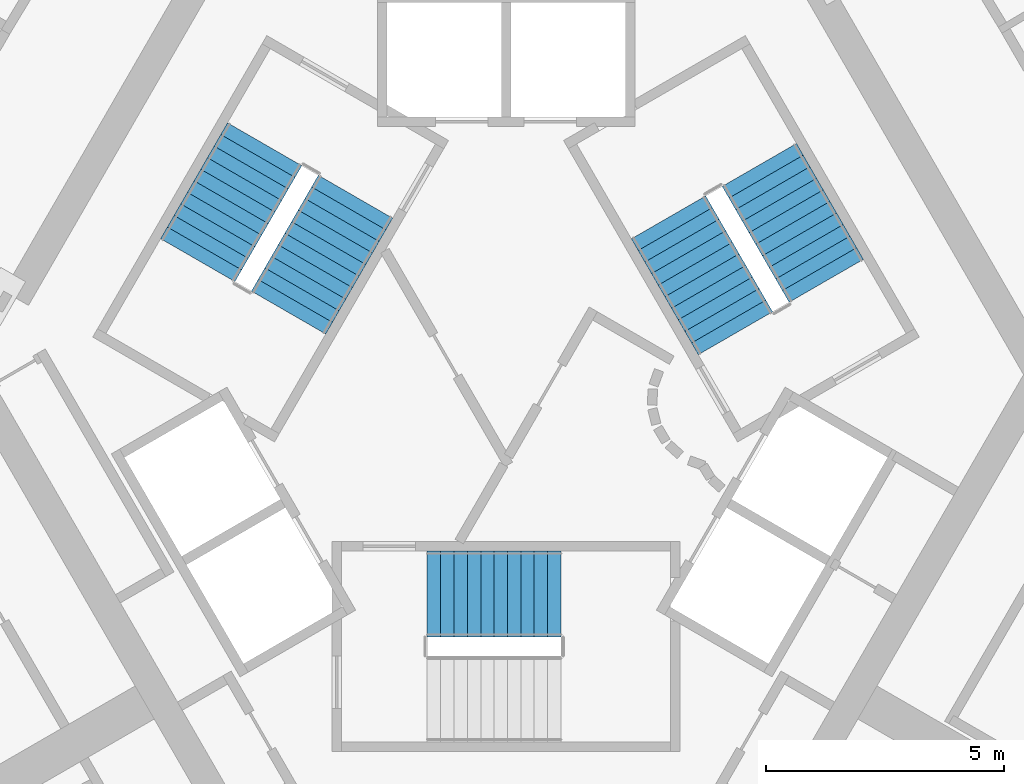
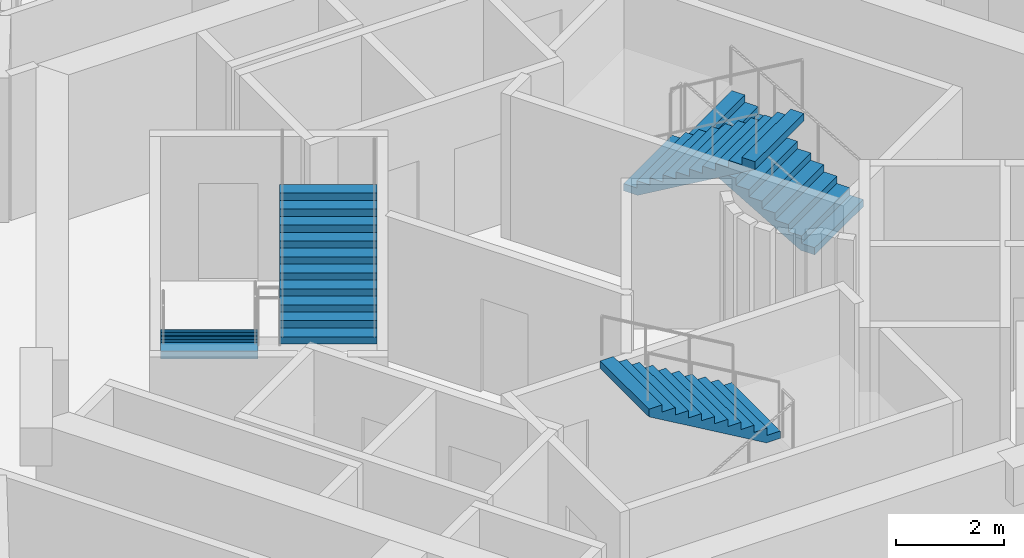
# One storey, part 11 of 14: 5 stair flights, 3 elements without a shape of their own.
"""IFC4 building model written with IfcOpenShell, lengths in metres."""

import ifcopenshell
import ifcopenshell.guid

model = None  # the IFC model being written
_history = None  # IfcOwnerHistory: only IFC2X3 demands one
_inside = {}  # id of a spatial element -> (the spatial element, [elements in it])
_under = {}  # id of a project, library or spatial element -> (it, [spatial elements below it])
_declared = {}  # id of a project -> (the project, [libraries it declares])
_typed = {}  # id of a type object -> (the type object, [elements of that type])
_made_of = {}  # id of a material, layer set ... -> (it, [elements and type objects made of it])


def new_model(schema):
    """Start an empty IFC model of exactly this schema.

    Asked for "IFC4X3", IfcOpenShell would pick the latest addendum, in which some entities
    have other attributes; the version numbers below select the first issue.
    IFC2X3 requires an IfcOwnerHistory on every rooted entity: one is made here for all.
    """
    global model, _history
    if schema == "IFC4X3":
        model = ifcopenshell.file(schema_version=(4, 3, 0, 0))
    else:
        model = ifcopenshell.file(schema=schema)
    _inside.clear()
    _under.clear()
    _declared.clear()
    _typed.clear()
    _made_of.clear()
    _history = None
    if model.schema == "IFC2X3":
        org = make("IfcOrganization", Name="unknown")
        user = make(
            "IfcPersonAndOrganization",
            ThePerson=make("IfcPerson", FamilyName="unknown"),
            TheOrganization=org,
        )
        app = make(
            "IfcApplication",
            ApplicationDeveloper=org,
            Version="unknown",
            ApplicationFullName="unknown",
            ApplicationIdentifier="unknown",
        )
        _history = make(
            "IfcOwnerHistory",
            OwningUser=user,
            OwningApplication=app,
            ChangeAction="ADDED",
            CreationDate=0,
        )
    return model


def make(cls, **values):
    """One entity of the class cls with the attributes given. An attribute that is None is left unset."""
    return model.create_entity(
        cls, **{name: value for name, value in values.items() if value is not None}
    )


def rooted(cls, **values):
    """An entity with a GlobalId (a new one), such as an element, a storey or a relation."""
    return make(cls, GlobalId=ifcopenshell.guid.new(), OwnerHistory=_history, **values)


def si_unit(unit_type, name, prefix=None):
    """IfcSIUnit, for example si_unit("LENGTHUNIT", "METRE", prefix="MILLI")."""
    return make("IfcSIUnit", UnitType=unit_type, Prefix=prefix, Name=name)


def assignment(units):
    """IfcUnitAssignment: the units of a project."""
    return None if units is None else make("IfcUnitAssignment", Units=units)


def point(xyz):
    """IfcCartesianPoint."""
    return None if xyz is None else make("IfcCartesianPoint", Coordinates=xyz)


def direction(xyz):
    """IfcDirection."""
    return None if xyz is None else make("IfcDirection", DirectionRatios=xyz)


def frame(location, z_axis=None, x_axis=None):
    """IfcAxis2Placement3D, a coordinate frame: its origin and axes. An axis left out is left unset."""
    return make(
        "IfcAxis2Placement3D",
        Location=point(location),
        Axis=direction(z_axis),
        RefDirection=direction(x_axis),
    )


def origin():
    """The frame at (0, 0, 0) with its axes left unset."""
    return frame((0.0, 0.0, 0.0))


def place(relative_to, where):
    """IfcLocalPlacement: puts the frame where relative to a parent placement (None: the world)."""
    return make(
        "IfcLocalPlacement", PlacementRelTo=relative_to, RelativePlacement=where
    )


def context(
    kind, dimensions, precision=None, world=None, true_north=None, identifier=None
):
    """IfcGeometricRepresentationContext, for example the 3D "Model" context."""
    return make(
        "IfcGeometricRepresentationContext",
        ContextIdentifier=identifier,
        ContextType=kind,
        CoordinateSpaceDimension=dimensions,
        Precision=precision,
        WorldCoordinateSystem=world,
        TrueNorth=true_north,
    )


def subcontext(parent, identifier, kind, view, scale=None):
    """IfcGeometricRepresentationSubContext, for example "Body" below "Model"."""
    return make(
        "IfcGeometricRepresentationSubContext",
        ContextIdentifier=identifier,
        ContextType=kind,
        ParentContext=parent,
        TargetScale=scale,
        TargetView=view,
    )


def project(units=None, contexts=None):
    """IfcProject with its units and contexts."""
    return rooted(
        "IfcProject",
        Name="project",
        RepresentationContexts=contexts,
        UnitsInContext=assignment(units),
    )


def spatial(cls, under=None, at=None, **own):
    """A site, building, storey or space (cls), placed at a placement, below another one or the project."""
    s = rooted(cls, ObjectPlacement=at, **own)
    if under is not None:
        _under.setdefault(under.id(), (under, []))[1].append(s)
    return s


def polyline(points):
    """IfcPolyline through the points."""
    return make("IfcPolyline", Points=[point(p) for p in points])


def outline(outer, holes=None, kind="AREA"):
    """IfcArbitraryClosedProfileDef: a profile drawn as a closed curve; with holes, ...WithVoids."""
    if holes is None:
        return make("IfcArbitraryClosedProfileDef", ProfileType=kind, OuterCurve=outer)
    return make(
        "IfcArbitraryProfileDefWithVoids",
        ProfileType=kind,
        OuterCurve=outer,
        InnerCurves=holes,
    )


def extrude(swept, where, along, depth):
    """IfcExtrudedAreaSolid: the profile swept, set in the frame where, extruded along a direction by depth."""
    return make(
        "IfcExtrudedAreaSolid",
        SweptArea=swept,
        Position=where,
        ExtrudedDirection=direction(along),
        Depth=depth,
    )


def shape(context_of_items, identifier, shape_type, items):
    """IfcShapeRepresentation: the items that make up one representation, for example the "Body"."""
    return make(
        "IfcShapeRepresentation",
        ContextOfItems=context_of_items,
        RepresentationIdentifier=identifier,
        RepresentationType=shape_type,
        Items=items,
    )


def material(Name=None, Category=None):
    """IfcMaterial."""
    return make("IfcMaterial", Name=Name, Category=Category)


def made_of(thing, what):
    """Note that an element or type object is made of a material, layer set ...; save() writes the relation."""
    if what is not None:
        _made_of.setdefault(what.id(), (what, []))[1].append(thing)
    return thing


def type_object(cls, material=None, **own):
    """A type object (cls), such as IfcWallType, which elements share."""
    return made_of(rooted(cls, **own), material)


def element(
    cls,
    number,
    at=None,
    inside=None,
    cuts=None,
    type_object=None,
    material=None,
    context=None,
    identifier="Body",
    shape_type=None,
    held_by="IfcProductDefinitionShape",
    body=None,
    shapes=None,
    **own,
):
    """One element of the class cls, such as IfcWall. Its Tag is "e" and its number.

    at: its placement. inside: the storey or other place that contains it. cuts: it is an
    opening in that element (IfcRelVoidsElement). A single representation is given by context,
    identifier, shape_type and body (its items); several are given by shapes. held_by: the class
    of the entity that holds the representations. save() writes the other relations.
    """
    e = rooted(cls, Tag="e%d" % number, ObjectPlacement=at, **own)
    if body is not None:
        shapes = [shape(context, identifier, shape_type, body)]
    if shapes is not None:
        e.Representation = make(held_by, Representations=shapes)
    if inside is not None:
        _inside.setdefault(inside.id(), (inside, []))[1].append(e)
    if cuts is not None:
        rooted(
            "IfcRelVoidsElement", RelatingBuildingElement=cuts, RelatedOpeningElement=e
        )
    if type_object is not None:
        _typed.setdefault(type_object.id(), (type_object, []))[1].append(e)
    return made_of(e, material)


def aggregate(whole, parts):
    """IfcRelAggregates: a whole, such as a stair, and the parts it consists of."""
    return rooted("IfcRelAggregates", RelatingObject=whole, RelatedObjects=parts)


def save(model, path):
    """Write the relations noted so far, then the file.

    IfcRelAggregates (storeys below a building ...), IfcRelContainedInSpatialStructure (elements
    in a storey), IfcRelDefinesByType, IfcRelAssociatesMaterial and IfcRelDeclares: one each for
    every whole, place, type object, material and project.
    """
    for whole, parts in _under.values():
        aggregate(whole, parts)
    for where, things in _inside.values():
        rooted(
            "IfcRelContainedInSpatialStructure",
            RelatedElements=things,
            RelatingStructure=where,
        )
    for kind, things in _typed.values():
        rooted("IfcRelDefinesByType", RelatedObjects=things, RelatingType=kind)
    for what, things in _made_of.values():
        rooted("IfcRelAssociatesMaterial", RelatedObjects=things, RelatingMaterial=what)
    for by, libraries in _declared.values():
        rooted("IfcRelDeclares", RelatingContext=by, RelatedDefinitions=libraries)
    model.write(path)


model = new_model("IFC4")

# Units and contexts
model_context = context("Model", 3, precision=1e-05, world=origin(), true_north=direction((0.0, 1.0)))
body_context = subcontext(model_context, "Body", "Model", "MODEL_VIEW")
ifc_project = project(units=[si_unit("LENGTHUNIT", "METRE"), si_unit("AREAUNIT", "SQUARE_METRE"), si_unit("VOLUMEUNIT", "CUBIC_METRE"), si_unit("PLANEANGLEUNIT", "RADIAN"), si_unit("MASSUNIT", "GRAM", prefix="KILO")], contexts=[model_context])

# Site, building, storey
site_placement = place(None, origin())
site = spatial("IfcSite", under=ifc_project, at=site_placement, CompositionType="ELEMENT")
building_placement = place(site_placement, origin())
building = spatial("IfcBuilding", under=site, at=building_placement, Name="Entoto Arch Interchange Tower", CompositionType="ELEMENT")
storey_placement = place(building_placement, frame((0.0, 0.0, 259.39990234375)))
storey = spatial("IfcBuildingStorey", under=building, at=storey_placement, Name="L59", CompositionType="ELEMENT", Elevation=259.39990234375)

# Stair, stair flight
ifc_material = material(Name="Concrete C40/50", Category="concrete")
stair_type = type_object("IfcStairType", Name="EXIT STAIR RC 1800", PredefinedType="HALF_TURN_STAIR", material=ifc_material)
stair_1_placement = place(storey_placement, origin())
stair_1 = element("IfcStair", 1, at=stair_1_placement, inside=storey, type_object=stair_type, Name="L59 Exit stair S", PredefinedType="HALF_TURN_STAIR")
stair_flight_type = type_object("IfcStairFlightType", Name="EXIT STAIR FLIGHT RC 1800", PredefinedType="STRAIGHT", material=ifc_material)
stair_flight_1_placement = place(storey_placement, frame((1.14990234375, -2.10009765625, 1.800048828125), z_axis=(0.0, 0.0, 1.0), x_axis=(-1.0, 0.0, 0.0)))
stair_flight_1 = element("IfcStairFlight", 2, at=stair_flight_1_placement, type_object=stair_flight_type, Name="ST-S flight 2", NumberOfRisers=11, NumberOfTreads=10, PredefinedType="STRAIGHT", RiserHeight=0.163636364, TreadLength=0.28, context=body_context, shape_type="SweptSolid", body=[
    extrude(outline(polyline([(-0.0029296875, 0.0), (-0.0029296875, 0.16357421875), (0.280029296875, 0.16357421875), (0.280029296875, 0.327392578125), (0.56005859375, 0.327392578125), (0.56005859375, 0.490966796875), (0.840087890625, 0.490966796875), (0.840087890625, 0.654541015625), (1.1201171875, 0.654541015625), (1.1201171875, 0.818115234375), (1.39990234375, 0.818115234375), (1.39990234375, 0.98193359375), (1.679931640625, 0.98193359375), (1.679931640625, 1.1455078125), (1.9599609375, 1.1455078125), (1.9599609375, 1.30908203125), (2.239990234375, 1.30908203125), (2.239990234375, 1.47265625), (2.52001953125, 1.47265625), (2.52001953125, 1.636474609375), (2.800048828125, 1.636474609375), (2.802978515625, 1.636474609375), (2.802978515625, 1.464599609375), (0.297119140625, 0.0), (-0.0029296875, 0.0)])), frame((0.0, 0.89990234375, 0.0), z_axis=(0.0, -1.0, 0.0), x_axis=(1.0, 0.0, 0.0)), (0.0, 0.0, 1.0), 1.800048828125),
])
aggregate(stair_1, [stair_flight_1])

# Stair, stair flights
stair_2_placement = place(storey_placement, origin())
stair_2 = element("IfcStair", 3, at=stair_2_placement, inside=storey, type_object=stair_type, Name="L59 Exit stair NE", PredefinedType="HALF_TURN_STAIR")
stair_flight_2_placement = place(storey_placement, frame((6.7138671875, 4.470947265625, 0.0), z_axis=(0.0, 0.0, 1.0), x_axis=(-0.5, 0.866025403784, 0.0)))
stair_flight_2 = element("IfcStairFlight", 4, at=stair_flight_2_placement, type_object=stair_flight_type, Name="ST-NE flight 1", NumberOfRisers=11, NumberOfTreads=10, PredefinedType="STRAIGHT", RiserHeight=0.163636364, TreadLength=0.28, context=body_context, shape_type="SweptSolid", body=[
    extrude(outline(polyline([(-0.0029296875, 0.0), (-0.0029296875, 0.16357421875), (0.280029296875, 0.16357421875), (0.280029296875, 0.327392578125), (0.56005859375, 0.327392578125), (0.56005859375, 0.490966796875), (0.840087890625, 0.490966796875), (0.840087890625, 0.654541015625), (1.1201171875, 0.654541015625), (1.1201171875, 0.818115234375), (1.39990234375, 0.818115234375), (1.39990234375, 0.98193359375), (1.679931640625, 0.98193359375), (1.679931640625, 1.1455078125), (1.9599609375, 1.1455078125), (1.9599609375, 1.30908203125), (2.239990234375, 1.30908203125), (2.239990234375, 1.47265625), (2.52001953125, 1.47265625), (2.52001953125, 1.636474609375), (2.800048828125, 1.636474609375), (2.802978515625, 1.636474609375), (2.802978515625, 1.464599609375), (0.297119140625, 0.0), (-0.0029296875, 0.0)])), frame((0.0, 0.89990234375, 0.0), z_axis=(0.0, -1.0, 0.0), x_axis=(1.0, 0.0, 0.0)), (0.0, 0.0, 1.0), 1.800048828125),
])
stair_flight_3_placement = place(storey_placement, frame((3.40869140625, 5.7958984375, 1.800048828125), z_axis=(0.0, 0.0, 1.0), x_axis=(0.5, -0.866025403784, 0.0)))
stair_flight_3 = element("IfcStairFlight", 5, at=stair_flight_3_placement, type_object=stair_flight_type, Name="ST-NE flight 2", NumberOfRisers=11, NumberOfTreads=10, PredefinedType="STRAIGHT", RiserHeight=0.163636364, TreadLength=0.28, context=body_context, shape_type="SweptSolid", body=[
    extrude(outline(polyline([(-0.0029296875, 0.0), (-0.0029296875, 0.16357421875), (0.280029296875, 0.16357421875), (0.280029296875, 0.327392578125), (0.56005859375, 0.327392578125), (0.56005859375, 0.490966796875), (0.840087890625, 0.490966796875), (0.840087890625, 0.654541015625), (1.1201171875, 0.654541015625), (1.1201171875, 0.818115234375), (1.39990234375, 0.818115234375), (1.39990234375, 0.98193359375), (1.679931640625, 0.98193359375), (1.679931640625, 1.1455078125), (1.9599609375, 1.1455078125), (1.9599609375, 1.30908203125), (2.239990234375, 1.30908203125), (2.239990234375, 1.47265625), (2.52001953125, 1.47265625), (2.52001953125, 1.636474609375), (2.800048828125, 1.636474609375), (2.802978515625, 1.636474609375), (2.802978515625, 1.464599609375), (0.297119140625, 0.0), (-0.0029296875, 0.0)])), frame((0.0, 0.89990234375, 0.0), z_axis=(0.0, -1.0, 0.0), x_axis=(1.0, 0.0, 0.0)), (0.0, 0.0, 1.0), 1.800048828125),
])
aggregate(stair_2, [stair_flight_2, stair_flight_3])

stair_3_placement = place(storey_placement, origin())
stair_3 = element("IfcStair", 6, at=stair_3_placement, inside=storey, type_object=stair_type, Name="L59 Exit stair NW", PredefinedType="HALF_TURN_STAIR")
stair_flight_4_placement = place(storey_placement, frame((-5.06396484375, 7.328857421875, 0.0), z_axis=(0.0, 0.0, 1.0), x_axis=(-0.5, -0.866025403784, 0.0)))
stair_flight_4 = element("IfcStairFlight", 7, at=stair_flight_4_placement, type_object=stair_flight_type, Name="ST-NW flight 1", NumberOfRisers=11, NumberOfTreads=10, PredefinedType="STRAIGHT", RiserHeight=0.163636364, TreadLength=0.28, context=body_context, shape_type="SweptSolid", body=[
    extrude(outline(polyline([(-0.0029296875, 0.0), (-0.0029296875, 0.16357421875), (0.280029296875, 0.16357421875), (0.280029296875, 0.327392578125), (0.56005859375, 0.327392578125), (0.56005859375, 0.490966796875), (0.840087890625, 0.490966796875), (0.840087890625, 0.654541015625), (1.1201171875, 0.654541015625), (1.1201171875, 0.818115234375), (1.39990234375, 0.818115234375), (1.39990234375, 0.98193359375), (1.679931640625, 0.98193359375), (1.679931640625, 1.1455078125), (1.9599609375, 1.1455078125), (1.9599609375, 1.30908203125), (2.239990234375, 1.30908203125), (2.239990234375, 1.47265625), (2.52001953125, 1.47265625), (2.52001953125, 1.636474609375), (2.800048828125, 1.636474609375), (2.802978515625, 1.636474609375), (2.802978515625, 1.464599609375), (0.297119140625, 0.0), (-0.0029296875, 0.0)])), frame((0.0, 0.89990234375, 0.0), z_axis=(0.0, -1.0, 0.0), x_axis=(1.0, 0.0, 0.0)), (0.0, 0.0, 1.0), 1.800048828125),
])
stair_flight_5_placement = place(storey_placement, frame((-4.558837890625, 3.803955078125, 1.800048828125), z_axis=(0.0, 0.0, 1.0), x_axis=(0.5, 0.866025403784, 0.0)))
stair_flight_5 = element("IfcStairFlight", 8, at=stair_flight_5_placement, type_object=stair_flight_type, Name="ST-NW flight 2", NumberOfRisers=11, NumberOfTreads=10, PredefinedType="STRAIGHT", RiserHeight=0.163636364, TreadLength=0.28, context=body_context, shape_type="SweptSolid", body=[
    extrude(outline(polyline([(-0.0029296875, 0.0), (-0.0029296875, 0.16357421875), (0.280029296875, 0.16357421875), (0.280029296875, 0.327392578125), (0.56005859375, 0.327392578125), (0.56005859375, 0.490966796875), (0.840087890625, 0.490966796875), (0.840087890625, 0.654541015625), (1.1201171875, 0.654541015625), (1.1201171875, 0.818115234375), (1.39990234375, 0.818115234375), (1.39990234375, 0.98193359375), (1.679931640625, 0.98193359375), (1.679931640625, 1.1455078125), (1.9599609375, 1.1455078125), (1.9599609375, 1.30908203125), (2.239990234375, 1.30908203125), (2.239990234375, 1.47265625), (2.52001953125, 1.47265625), (2.52001953125, 1.636474609375), (2.800048828125, 1.636474609375), (2.802978515625, 1.636474609375), (2.802978515625, 1.464599609375), (0.297119140625, 0.0), (-0.0029296875, 0.0)])), frame((0.0, 0.89990234375, 0.0), z_axis=(0.0, -1.0, 0.0), x_axis=(1.0, 0.0, 0.0)), (0.0, 0.0, 1.0), 1.800048828125),
])
aggregate(stair_3, [stair_flight_4, stair_flight_5])

save(model, "model.ifc")
